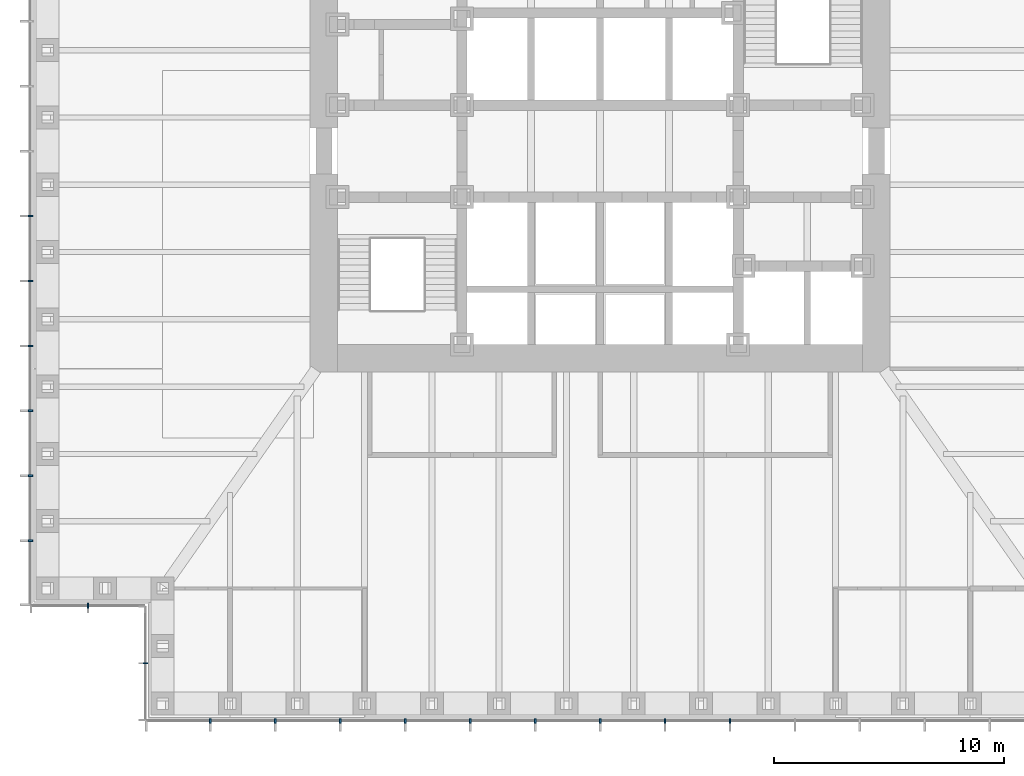
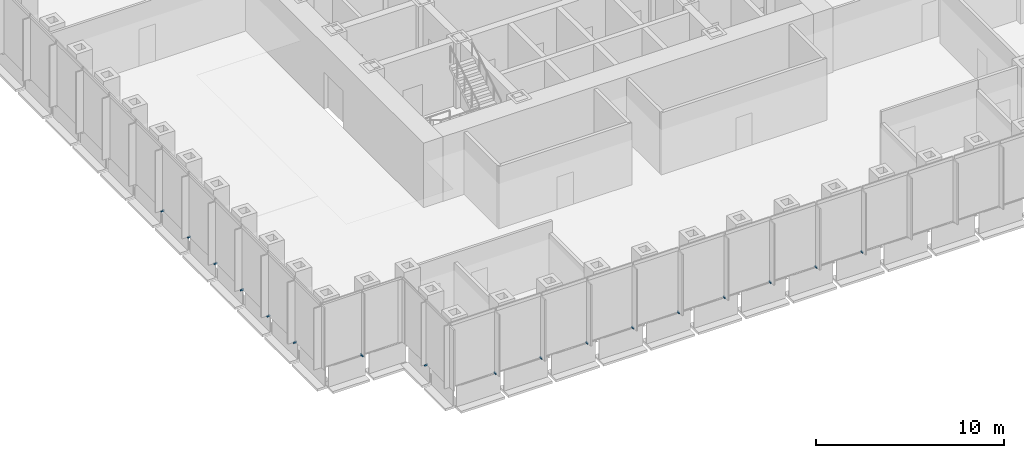
# One storey, part 11 of 16: 17 discrete accessories.
"""IFC4 building model written with IfcOpenShell, lengths in metres."""

from ifc_helpers import new_model, si_unit, direction, frame, origin, origin_2d, place, context, subcontext, project, spatial, rectangle, extrude, element, save


model = new_model("IFC4")

# Units and contexts
model_context = context("Model", 3, precision=1e-05, world=origin(), true_north=direction((0.0, 1.0)))
body_context = subcontext(model_context, "Body", "Model", "MODEL_VIEW")
ifc_project = project(units=[si_unit("LENGTHUNIT", "METRE"), si_unit("AREAUNIT", "SQUARE_METRE"), si_unit("VOLUMEUNIT", "CUBIC_METRE"), si_unit("PLANEANGLEUNIT", "RADIAN"), si_unit("MASSUNIT", "GRAM", prefix="KILO")], contexts=[model_context])

# Site, building, storey
site_placement = place(None, origin())
site = spatial("IfcSite", under=ifc_project, at=site_placement, CompositionType="ELEMENT")
building_placement = place(site_placement, origin())
building = spatial("IfcBuilding", under=site, at=building_placement, Name="Daluyong Arena Tower", CompositionType="ELEMENT")
storey_placement = place(building_placement, frame((0.0, 0.0, 43.300048828125)))
storey = spatial("IfcBuildingStorey", under=building, at=storey_placement, Name="L08", CompositionType="ELEMENT", Elevation=43.300048828125)

# Discrete accessories
for number, where, z_axis, x_axis, name in (
    (1, (39.071533203125, 55.25, -0.10009765625), (0.0, 0.0, 1.0), (1.0, 0.0, 0.0), "curtain wall L08 S anchor bracket 2"),
    (2, (41.892822265625, 55.25, -0.10009765625), (0.0, 0.0, 1.0), (1.0, 0.0, 0.0), "curtain wall L08 S anchor bracket 3"),
    (3, (44.71435546875, 55.25, -0.10009765625), (0.0, 0.0, 1.0), (1.0, 0.0, 0.0), "curtain wall L08 S anchor bracket 4"),
    (4, (47.53564453125, 55.25, -0.10009765625), (0.0, 0.0, 1.0), (1.0, 0.0, 0.0), "curtain wall L08 S anchor bracket 5"),
    (5, (50.357177734375, 55.25, -0.10009765625), (0.0, 0.0, 1.0), (1.0, 0.0, 0.0), "curtain wall L08 S anchor bracket 6"),
    (6, (53.178466796875, 55.25, -0.10009765625), (0.0, 0.0, 1.0), (1.0, 0.0, 0.0), "curtain wall L08 S anchor bracket 7"),
    (7, (56.0, 55.25, -0.10009765625), (0.0, 0.0, 1.0), (1.0, 0.0, 0.0), "curtain wall L08 S anchor bracket 8"),
    (8, (58.821533203125, 55.25, -0.10009765625), (0.0, 0.0, 1.0), (1.0, 0.0, 0.0), "curtain wall L08 S anchor bracket 9"),
    (9, (61.642822265625, 55.25, -0.10009765625), (0.0, 0.0, 1.0), (1.0, 0.0, 0.0), "curtain wall L08 S anchor bracket 10"),
    (10, (31.25, 77.178466796875, -0.10009765625), (0.0, 0.0, 1.0), (0.0, -1.0, 0.0), "curtain wall L08 W anchor bracket 9"),
    (11, (31.25, 74.357177734375, -0.10009765625), (0.0, 0.0, 1.0), (0.0, -1.0, 0.0), "curtain wall L08 W anchor bracket 10"),
    (12, (31.25, 71.53564453125, -0.10009765625), (0.0, 0.0, 1.0), (0.0, -1.0, 0.0), "curtain wall L08 W anchor bracket 11"),
    (13, (31.25, 68.71435546875, -0.10009765625), (0.0, 0.0, 1.0), (0.0, -1.0, 0.0), "curtain wall L08 W anchor bracket 12"),
    (14, (31.25, 65.892822265625, -0.10009765625), (0.0, 0.0, 1.0), (0.0, -1.0, 0.0), "curtain wall L08 W anchor bracket 13"),
    (15, (31.25, 63.071533203125, -0.10009765625), (0.0, 0.0, 1.0), (0.0, -1.0, 0.0), "curtain wall L08 W anchor bracket 14"),
):
    element("IfcDiscreteAccessory", number, at=place(storey_placement, frame(where, z_axis=z_axis, x_axis=x_axis)), inside=storey, Name=name, PredefinedType="BRACKET", context=body_context, shape_type="SweptSolid", body=[
        extrude(rectangle(XDim=0.080078125, YDim=0.199951171875, at=origin_2d()), origin(), (0.0, 0.0, 1.0), 0.10009765625),
    ])
for number, where, z_axis, x_axis, name in (
    (16, (33.75, 60.25, -0.10009765625), (0.0, 0.0, 1.0), (1.0, 0.0, 0.0), "curtain wall L08 SW-S anchor bracket 2"),
    (17, (36.25, 57.75, -0.10009765625), (0.0, 0.0, 1.0), (0.0, -1.0, 0.0), "curtain wall L08 SW-W anchor bracket 2"),
):
    element("IfcDiscreteAccessory", number, at=place(storey_placement, frame(where, z_axis=z_axis, x_axis=x_axis)), inside=storey, Name=name, PredefinedType="BRACKET", context=body_context, shape_type="SweptSolid", body=[
        extrude(rectangle(XDim=0.06005859375, YDim=0.199951171875, at=origin_2d()), origin(), (0.0, 0.0, 1.0), 0.10009765625),
    ])

save(model, "model.ifc")
